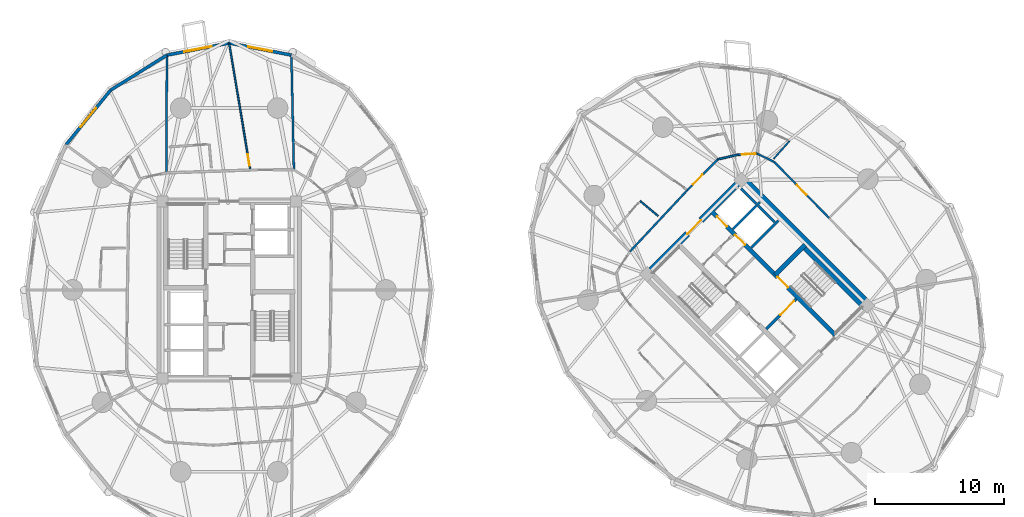
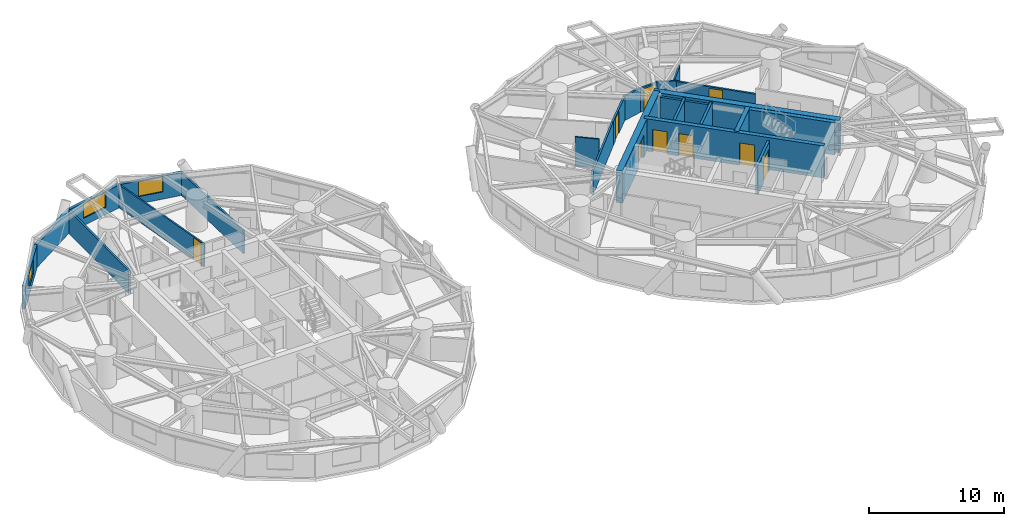
# One storey, part 14 of 18: 25 walls, 9 doors, 3 windows, 12 openings.
"""IFC4 building model written with IfcOpenShell, lengths in metres."""

from ifc_helpers import new_model, si_unit, direction, frame, frame_2d, origin, place, context, subcontext, project, spatial, rectangle, extrude, source, transform, mapped, material, layer, layer_set, type_object, element, fill, save


model = new_model("IFC4")

# Units and contexts
model_context = context("Model", 3, precision=1e-05, world=origin(), true_north=direction((0.0, 1.0)))
body_context = subcontext(model_context, "Body", "Model", "MODEL_VIEW")
ifc_project = project(units=[si_unit("LENGTHUNIT", "METRE"), si_unit("AREAUNIT", "SQUARE_METRE"), si_unit("VOLUMEUNIT", "CUBIC_METRE"), si_unit("PLANEANGLEUNIT", "RADIAN"), si_unit("MASSUNIT", "GRAM", prefix="KILO")], contexts=[model_context])

# Site, building, storey
site_placement = place(None, origin())
site = spatial("IfcSite", under=ifc_project, at=site_placement, CompositionType="ELEMENT")
building_placement = place(site_placement, origin())
building = spatial("IfcBuilding", under=site, at=building_placement, Name="Cununo Teusaquillo Station Towers", CompositionType="ELEMENT")
storey_placement = place(building_placement, frame((0.0, 0.0, 54.010009765625)))
storey = spatial("IfcBuildingStorey", under=building, at=storey_placement, Name="L16", CompositionType="ELEMENT", Elevation=54.010009765625)

# Walls
ifc_material_1 = material(Name="Concrete C50/60", Category="concrete")
ifc_layer_1 = layer(ifc_material_1, 0.199951171875)
ifc_layer_set_1 = layer_set([ifc_layer_1], Name="Concrete C50/60")
wall_type_1 = type_object("IfcWallType", Name="WL-CORE-200", PredefinedType="SHEAR", material=ifc_layer_set_1)
wall_1_placement = place(storey_placement, frame((57.0615234375, 27.781005859375, 0.0), z_axis=(0.0, 0.0, 1.0), x_axis=(0.707106781187, 0.707106781187, 0.0)))
element("IfcWall", 1, at=wall_1_placement, inside=storey, type_object=wall_type_1, Name="L16 Tower B Low-Rise Lift Hoistway South Shear Wall", PredefinedType="SHEAR", context=body_context, shape_type="SweptSolid", body=[
    extrude(rectangle(XDim=2.969970703125, YDim=0.199951171875, at=frame_2d((1.48486328125, 0.0))), origin(), (0.0, 0.0, 1.0), 2.909912109375),
])
wall_2_placement = place(storey_placement, frame((55.615478515625, 29.22705078125, 0.0), z_axis=(0.0, 0.0, 1.0), x_axis=(0.707147878904, 0.70706568108, 0.0)))
element("IfcWall", 2, at=wall_2_placement, inside=storey, type_object=wall_type_1, Name="L16 Tower B Low-Rise Lift Hoistway Divider Shear Wall", PredefinedType="SHEAR", context=body_context, shape_type="SweptSolid", body=[
    extrude(rectangle(XDim=2.97021484375, YDim=0.199951171875, at=frame_2d((1.485107421875, 0.0))), origin(), (0.0, 0.0, 1.0), 2.909912109375),
])
wall_3_placement = place(storey_placement, frame((58.86474609375, 29.75390625, 0.0), z_axis=(0.0, 0.0, 1.0), x_axis=(-0.707174411312, 0.707039144592, 0.0)))
element("IfcWall", 3, at=wall_3_placement, inside=storey, type_object=wall_type_1, Name="L16 Tower B Low-Rise Lift 1 Shaft Rear Shear Wall", PredefinedType="SHEAR", context=body_context, shape_type="SweptSolid", body=[
    extrude(rectangle(XDim=1.804931640625, YDim=0.199951171875, at=frame_2d((0.90234375, 0.0))), origin(), (0.0, 0.0, 1.0), 2.909912109375),
])
wall_4_placement = place(storey_placement, frame((57.418701171875, 31.19970703125, 0.0), z_axis=(0.0, 0.0, 1.0), x_axis=(-0.707032117043, 0.707181437447, 0.0)))
element("IfcWall", 4, at=wall_4_placement, inside=storey, type_object=wall_type_1, Name="L16 Tower B Low-Rise Lift 2 Shaft Rear Shear Wall", PredefinedType="SHEAR", context=body_context, shape_type="SweptSolid", body=[
    extrude(rectangle(XDim=1.635009765625, YDim=0.199951171875, at=frame_2d((0.8173828125, 0.0))), origin(), (0.0, 0.0, 1.0), 2.909912109375),
])

# Wall, openings, doors
ifc_material_2 = material(Name="Concrete C50/60", Category="concrete")
ifc_layer_2 = layer(ifc_material_2, 0.35009765625)
ifc_layer_set_2 = layer_set([ifc_layer_2], Name="Concrete C50/60")
wall_type_2 = type_object("IfcWallType", Name="WL-CORE-350", PredefinedType="SHEAR", material=ifc_layer_set_2)
wall_5_placement = place(storey_placement, frame((63.662353515625, 20.904296875, 0.0), z_axis=(0.0, 0.0, 1.0), x_axis=(-0.707106781187, 0.707106781187, 0.0)))
wall_5 = element("IfcWall", 5, at=wall_5_placement, inside=storey, type_object=wall_type_2, Name="L16 Tower B Core Shear Wall IE", PredefinedType="SHEAR", context=body_context, shape_type="SweptSolid", body=[
    extrude(rectangle(XDim=13.800048828125, YDim=0.35009765625, at=frame_2d((6.89990234375, 0.0))), origin(), (0.0, 0.0, 1.0), 2.909912109375),
])
shared_shape_1 = source(origin(), body_context, "Body", "SweptSolid", [
    extrude(rectangle(XDim=1.10009765625, YDim=2.014892578125, at=frame_2d((0.550048828125, 1.00732421875))), frame((0.0, 0.18505859375, 0.0), z_axis=(0.0, -1.0, 0.0), x_axis=(1.0, 0.0, 0.0)), (0.0, 0.0, 1.0), 0.3701171875),
])
opening_1_placement = place(wall_5_placement, frame((10.02490234375, 0.0, 0.0)))
opening_1 = element("IfcOpeningElement", 6, at=opening_1_placement, cuts=wall_5, Name="Opening LD-01", PredefinedType="OPENING", context=body_context, shape_type="MappedRepresentation", body=[
    mapped(shared_shape_1, transform((0.0, 0.0, 0.0), x_axis=(1.0, 0.0, 0.0), y_axis=(0.0, 1.0, 0.0), z_axis=(0.0, 0.0, 1.0), scale=1.0)),
])
opening_2_placement = place(wall_5_placement, frame((12.02490234375, 0.0, 0.0)))
opening_2 = element("IfcOpeningElement", 7, at=opening_2_placement, cuts=wall_5, Name="Opening LD-01", PredefinedType="OPENING", context=body_context, shape_type="MappedRepresentation", body=[
    mapped(shared_shape_1, transform((0.0, 0.0, 0.0), x_axis=(1.0, 0.0, 0.0), y_axis=(0.0, 1.0, 0.0), z_axis=(0.0, 0.0, 1.0), scale=1.0)),
])
shared_shape_2 = source(origin(), body_context, "Body", "SweptSolid", [
    extrude(rectangle(XDim=1.14990234375, YDim=2.02001953125, at=frame_2d((0.574951171875, 1.010009765625))), frame((0.0, 0.18505859375, 0.0), z_axis=(0.0, -1.0, 0.0), x_axis=(1.0, 0.0, 0.0)), (0.0, 0.0, 1.0), 0.3701171875),
])
opening_3_placement = place(wall_5_placement, frame((5.330078125, 0.0, 0.0)))
opening_3 = element("IfcOpeningElement", 8, at=opening_3_placement, cuts=wall_5, Name="Opening D-ST1", PredefinedType="OPENING", context=body_context, shape_type="MappedRepresentation", body=[
    mapped(shared_shape_2, transform((0.0, 0.0, 0.0), x_axis=(1.0, 0.0, 0.0), y_axis=(0.0, 1.0, 0.0), z_axis=(0.0, 0.0, 1.0), scale=1.0)),
])
ifc_material_3 = material(Name="Galvanised fire-rated hollow steel door assembly", Category="steel")
door_type_1 = type_object("IfcDoorType", Name="DR-LIFT-1100", OperationType="SLIDING_TO_LEFT", PredefinedType="DOOR", material=ifc_material_3)
shared_shape_3 = source(origin(), body_context, "Body", "SweptSolid", [
    extrude(rectangle(XDim=1.10009765625, YDim=2.014892578125, at=frame_2d((0.550048828125, 1.00732421875))), frame((0.0, 0.02490234375, 0.0), z_axis=(0.0, -1.0, 0.0), x_axis=(1.0, 0.0, 0.0)), (0.0, 0.0, 1.0), 0.050048828125),
])
door_1_placement = place(opening_1_placement, origin())
door_1 = element("IfcDoor", 9, at=door_1_placement, inside=storey, type_object=door_type_1, Name="L16 Lift PL-T2-L1 Sliding Landing Door", OperationType="SLIDING_TO_LEFT", OverallHeight=2.014892578125, OverallWidth=1.10009765625, PredefinedType="DOOR", context=body_context, shape_type="MappedRepresentation", body=[
    mapped(shared_shape_3, transform((0.0, 0.0, 0.0), x_axis=(1.0, 0.0, 0.0), y_axis=(0.0, 1.0, 0.0), z_axis=(0.0, 0.0, 1.0), scale=1.0)),
])
fill(opening_1, door_1)
door_2_placement = place(opening_2_placement, origin())
door_2 = element("IfcDoor", 10, at=door_2_placement, inside=storey, type_object=door_type_1, Name="L16 Lift PL-T2-L2 Sliding Landing Door", OperationType="SLIDING_TO_RIGHT", OverallHeight=2.014892578125, OverallWidth=1.10009765625, PredefinedType="DOOR", context=body_context, shape_type="MappedRepresentation", body=[
    mapped(shared_shape_3, transform((0.0, 0.0, 0.0), x_axis=(1.0, 0.0, 0.0), y_axis=(0.0, 1.0, 0.0), z_axis=(0.0, 0.0, 1.0), scale=1.0)),
])
fill(opening_2, door_2)
ifc_material_4 = material(Name="Galvanised fire-rated hollow steel door assembly", Category="steel")
door_type_2 = type_object("IfcDoorType", Name="DR-STAIR-1150", OperationType="NOTDEFINED", PredefinedType="DOOR", material=ifc_material_4)
shared_shape_4 = source(origin(), body_context, "Body", "SweptSolid", [
    extrude(rectangle(XDim=1.14990234375, YDim=2.02001953125, at=frame_2d((0.574951171875, 1.010009765625))), frame((0.0, 0.02490234375, 0.0), z_axis=(0.0, -1.0, 0.0), x_axis=(1.0, 0.0, 0.0)), (0.0, 0.0, 1.0), 0.050048828125),
])
door_3_placement = place(opening_3_placement, origin())
door_3 = element("IfcDoor", 11, at=door_3_placement, inside=storey, type_object=door_type_2, Name="L16 Tower B Exit Stair 2 Fire Door", OperationType="SINGLE_SWING_RIGHT", OverallHeight=2.02001953125, OverallWidth=1.14990234375, PredefinedType="DOOR", context=body_context, shape_type="MappedRepresentation", body=[
    mapped(shared_shape_4, transform((0.0, 0.0, 0.0), x_axis=(1.0, 0.0, 0.0), y_axis=(0.0, 1.0, 0.0), z_axis=(0.0, 0.0, 1.0), scale=1.0)),
])
fill(opening_3, door_3)

# Walls
wall_6_placement = place(storey_placement, frame((65.847412109375, 23.08935546875, 0.0), z_axis=(0.0, 0.0, 1.0), x_axis=(-0.707106781187, 0.707106781187, 0.0)))
element("IfcWall", 12, at=wall_6_placement, inside=storey, type_object=wall_type_2, Name="L16 Tower B Core Shear Wall ST2E", PredefinedType="SHEAR", context=body_context, shape_type="SweptSolid", body=[
    extrude(rectangle(XDim=6.7451171875, YDim=0.35009765625, at=frame_2d((3.37255859375, 0.0))), origin(), (0.0, 0.0, 1.0), 2.909912109375),
])
wall_7_placement = place(storey_placement, frame((58.89306640625, 25.673828125, 0.0), z_axis=(0.0, 0.0, 1.0), x_axis=(0.707106781187, 0.707106781187, 0.0)))
element("IfcWall", 13, at=wall_7_placement, inside=storey, type_object=wall_type_2, Name="L16 Tower B Core Shear Wall ST2N", PredefinedType="SHEAR", context=body_context, shape_type="SweptSolid", body=[
    extrude(rectangle(XDim=3.284912109375, YDim=0.35009765625, at=frame_2d((1.642578125, 0.0))), origin(), (0.0, 0.0, 1.0), 2.909912109375),
])
ifc_material_5 = material(Name="Concrete C60/75", Category="concrete")
ifc_layer_3 = layer(ifc_material_5, 0.5)
ifc_layer_set_3 = layer_set([ifc_layer_3], Name="Concrete C60/75")
wall_type_3 = type_object("IfcWallType", Name="WL-CORE-500", PredefinedType="SHEAR", material=ifc_layer_set_3)
wall_8_placement = place(storey_placement, frame((66.3388671875, 23.227294921875, 0.0), z_axis=(0.0, 0.0, 1.0), x_axis=(-0.707106781187, 0.707106781187, 0.0)))
element("IfcWall", 14, at=wall_8_placement, inside=storey, type_object=wall_type_3, Name="L16 Tower B Core Shear Wall E", PredefinedType="SHEAR", context=body_context, shape_type="SweptSolid", body=[
    extrude(rectangle(XDim=14.2998046875, YDim=0.5, at=frame_2d((7.14990234375, 0.0))), origin(), (0.0, 0.0, 1.0), 2.909912109375),
])

# Wall, opening, door
wall_9_placement = place(storey_placement, frame((48.837890625, 25.595947265625, 0.0), z_axis=(0.0, 0.0, 1.0), x_axis=(0.707106781187, 0.707106781187, 0.0)))
wall_9 = element("IfcWall", 15, at=wall_9_placement, inside=storey, type_object=wall_type_3, Name="L16 Tower B Core Shear Wall N", PredefinedType="SHEAR", context=body_context, shape_type="SweptSolid", body=[
    extrude(rectangle(XDim=10.7001953125, YDim=0.5, at=frame_2d((5.35009765625, 0.0))), origin(), (0.0, 0.0, 1.0), 2.909912109375),
])
shared_shape_5 = source(origin(), body_context, "Body", "SweptSolid", [
    extrude(rectangle(XDim=1.5, YDim=2.02001953125, at=frame_2d((0.75, 1.010009765625))), frame((0.0, 0.260009765625, 0.0), z_axis=(0.0, -1.0, 0.0), x_axis=(1.0, 0.0, 0.0)), (0.0, 0.0, 1.0), 0.52001953125),
])
opening_4_placement = place(wall_9_placement, frame((4.60009765625, 0.0, 0.0)))
opening_4 = element("IfcOpeningElement", 16, at=opening_4_placement, cuts=wall_9, Name="Opening D-LB1", PredefinedType="OPENING", context=body_context, shape_type="MappedRepresentation", body=[
    mapped(shared_shape_5, transform((0.0, 0.0, 0.0), x_axis=(1.0, 0.0, 0.0), y_axis=(0.0, 1.0, 0.0), z_axis=(0.0, 0.0, 1.0), scale=1.0)),
])
ifc_material_6 = material(Name="Galvanised fire-rated hollow steel door assembly", Category="steel")
door_type_3 = type_object("IfcDoorType", Name="DR-LOBBY-1500", OperationType="DOUBLE_DOOR_SINGLE_SWING", PredefinedType="DOOR", material=ifc_material_6)
shared_shape_6 = source(origin(), body_context, "Body", "SweptSolid", [
    extrude(rectangle(XDim=1.5, YDim=2.02001953125, at=frame_2d((0.75, 1.010009765625))), frame((0.0, 0.02490234375, 0.0), z_axis=(0.0, -1.0, 0.0), x_axis=(1.0, 0.0, 0.0)), (0.0, 0.0, 1.0), 0.050048828125),
])
door_4_placement = place(opening_4_placement, origin())
door_4 = element("IfcDoor", 17, at=door_4_placement, inside=storey, type_object=door_type_3, Name="L16 Tower B North Core Lift Lobby Door", OperationType="DOUBLE_DOOR_SINGLE_SWING", OverallHeight=2.02001953125, OverallWidth=1.5, PredefinedType="DOOR", context=body_context, shape_type="MappedRepresentation", body=[
    mapped(shared_shape_6, transform((0.0, 0.0, 0.0), x_axis=(1.0, 0.0, 0.0), y_axis=(0.0, 1.0, 0.0), z_axis=(0.0, 0.0, 1.0), scale=1.0)),
])
fill(opening_4, door_4)

# Wall, opening, window
ifc_material_7 = material(Name="Precast concrete C40/50", Category="concrete")
ifc_layer_4 = layer(ifc_material_7, 0.239990234375)
ifc_layer_set_4 = layer_set([ifc_layer_4], Name="Precast concrete C40/50")
wall_type_4 = type_object("IfcWallType", Name="WL-EXT-240", PredefinedType="SOLIDWALL", material=ifc_layer_set_4)
wall_10_placement = place(storey_placement, frame((16.5, 43.669921875, 0.0), z_axis=(0.0, 0.0, 1.0), x_axis=(0.981725274071, -0.190303668512, 0.0)))
wall_10 = element("IfcWall", 18, at=wall_10_placement, inside=storey, type_object=wall_type_4, Name="L16 Tower A Exterior Facade Wall C04", PredefinedType="SOLIDWALL", context=body_context, shape_type="SweptSolid", body=[
    extrude(rectangle(XDim=4.93017578125, YDim=0.239990234375, at=frame_2d((2.465087890625, 0.0))), origin(), (0.0, 0.0, 1.0), 2.072998046875),
])
shared_shape_7 = source(origin(), body_context, "Body", "SweptSolid", [
    extrude(rectangle(XDim=1.89990234375, YDim=1.35009765625, at=frame_2d((0.949951171875, 0.675048828125))), frame((0.0, 0.1298828125, 0.0), z_axis=(0.0, -1.0, 0.0), x_axis=(1.0, 0.0, 0.0)), (0.0, 0.0, 1.0), 0.260009765625),
])
opening_5_placement = place(wall_10_placement, frame((1.514892578125, 0.0, 0.64990234375)))
opening_5 = element("IfcOpeningElement", 19, at=opening_5_placement, cuts=wall_10, Name="Opening WN-02", PredefinedType="OPENING", context=body_context, shape_type="MappedRepresentation", body=[
    mapped(shared_shape_7, transform((0.0, 0.0, 0.0), x_axis=(1.0, 0.0, 0.0), y_axis=(0.0, 1.0, 0.0), z_axis=(0.0, 0.0, 1.0), scale=1.0)),
])
ifc_material_8 = material(Name="Operable acoustic tinted low-E double glazing", Category="glass")
window_type_1 = type_object("IfcWindowType", Name="WIN-OPER-1900", PartitioningType="DOUBLE_PANEL_VERTICAL", PredefinedType="WINDOW", material=ifc_material_8)
shared_shape_8 = source(origin(), body_context, "Body", "SweptSolid", [
    extrude(rectangle(XDim=1.89990234375, YDim=1.35009765625, at=frame_2d((0.949951171875, 0.675048828125))), frame((0.0, 0.030029296875, 0.0), z_axis=(0.0, -1.0, 0.0), x_axis=(1.0, 0.0, 0.0)), (0.0, 0.0, 1.0), 0.06005859375),
])
window_1_placement = place(opening_5_placement, origin())
window_1 = element("IfcWindow", 20, at=window_1_placement, inside=storey, type_object=window_type_1, Name="L16 Tower A Facade Window C04", OverallHeight=1.35009765625, OverallWidth=1.89990234375, PartitioningType="DOUBLE_PANEL_VERTICAL", PredefinedType="WINDOW", context=body_context, shape_type="MappedRepresentation", body=[
    mapped(shared_shape_8, transform((0.0, 0.0, 0.0), x_axis=(1.0, 0.0, 0.0), y_axis=(0.0, 1.0, 0.0), z_axis=(0.0, 0.0, 1.0), scale=1.0)),
])
fill(opening_5, window_1)

wall_11_placement = place(storey_placement, frame((11.659912109375, 42.731689453125, 0.0), z_axis=(0.0, 0.0, 1.0), x_axis=(0.981725274071, 0.190303668512, 0.0)))
wall_11 = element("IfcWall", 21, at=wall_11_placement, inside=storey, type_object=wall_type_4, Name="L16 Tower A Exterior Facade Wall C05", PredefinedType="SOLIDWALL", context=body_context, shape_type="SweptSolid", body=[
    extrude(rectangle(XDim=4.93017578125, YDim=0.239990234375, at=frame_2d((2.465087890625, 0.0))), origin(), (0.0, 0.0, 1.0), 2.072998046875),
])
shared_shape_9 = source(origin(), body_context, "Body", "SweptSolid", [
    extrude(rectangle(XDim=2.199951171875, YDim=1.35009765625, at=frame_2d((1.10009765625, 0.675048828125))), frame((0.0, 0.1298828125, 0.0), z_axis=(0.0, -1.0, 0.0), x_axis=(1.0, 0.0, 0.0)), (0.0, 0.0, 1.0), 0.260009765625),
])
opening_6_placement = place(wall_11_placement, frame((1.364990234375, 0.0, 0.64990234375)))
opening_6 = element("IfcOpeningElement", 22, at=opening_6_placement, cuts=wall_11, Name="Opening WN-01", PredefinedType="OPENING", context=body_context, shape_type="MappedRepresentation", body=[
    mapped(shared_shape_9, transform((0.0, 0.0, 0.0), x_axis=(1.0, 0.0, 0.0), y_axis=(0.0, 1.0, 0.0), z_axis=(0.0, 0.0, 1.0), scale=1.0)),
])
ifc_material_9 = material(Name="Ceramic-fritted dark low-E double glazing", Category="glass")
window_type_2 = type_object("IfcWindowType", Name="WIN-FRIT-2200", PartitioningType="DOUBLE_PANEL_VERTICAL", PredefinedType="WINDOW", material=ifc_material_9)
shared_shape_10 = source(origin(), body_context, "Body", "SweptSolid", [
    extrude(rectangle(XDim=2.199951171875, YDim=1.35009765625, at=frame_2d((1.10009765625, 0.675048828125))), frame((0.0, 0.030029296875, 0.0), z_axis=(0.0, -1.0, 0.0), x_axis=(1.0, 0.0, 0.0)), (0.0, 0.0, 1.0), 0.06005859375),
])
window_2_placement = place(opening_6_placement, origin())
window_2 = element("IfcWindow", 23, at=window_2_placement, inside=storey, type_object=window_type_2, Name="L16 Tower A Facade Window C05", OverallHeight=1.35009765625, OverallWidth=2.199951171875, PartitioningType="DOUBLE_PANEL_VERTICAL", PredefinedType="WINDOW", context=body_context, shape_type="MappedRepresentation", body=[
    mapped(shared_shape_10, transform((0.0, 0.0, 0.0), x_axis=(1.0, 0.0, 0.0), y_axis=(0.0, 1.0, 0.0), z_axis=(0.0, 0.0, 1.0), scale=1.0)),
])
fill(opening_6, window_2)

# Wall
wall_12_placement = place(storey_placement, frame((7.29345703125, 40.0087890625, 0.0), z_axis=(0.0, 0.0, 1.0), x_axis=(0.848533613342, 0.529141481107, 0.0)))
element("IfcWall", 24, at=wall_12_placement, inside=storey, type_object=wall_type_4, Name="L16 Tower A Exterior Facade Wall C06", PredefinedType="SOLIDWALL", context=body_context, shape_type="SweptSolid", body=[
    extrude(rectangle(XDim=5.14599609375, YDim=0.239990234375, at=frame_2d((2.572998046875, 0.0))), origin(), (0.0, 0.0, 1.0), 2.072998046875),
])

# Wall, opening, window
wall_13_placement = place(storey_placement, frame((3.828369140625, 35.767822265625, 0.0), z_axis=(0.0, 0.0, 1.0), x_axis=(0.632713287022, 0.77438614168, 0.0)))
wall_13 = element("IfcWall", 25, at=wall_13_placement, inside=storey, type_object=wall_type_4, Name="L16 Tower A Exterior Facade Wall C07", PredefinedType="SOLIDWALL", context=body_context, shape_type="SweptSolid", body=[
    extrude(rectangle(XDim=5.4765625, YDim=0.239990234375, at=frame_2d((2.73828125, 0.0))), origin(), (0.0, 0.0, 1.0), 2.072998046875),
])
opening_7_placement = place(wall_13_placement, frame((1.7880859375, 0.0, 0.64990234375)))
opening_7 = element("IfcOpeningElement", 26, at=opening_7_placement, cuts=wall_13, Name="Opening WN-02", PredefinedType="OPENING", context=body_context, shape_type="MappedRepresentation", body=[
    mapped(shared_shape_7, transform((0.0, 0.0, 0.0), x_axis=(1.0, 0.0, 0.0), y_axis=(0.0, 1.0, 0.0), z_axis=(0.0, 0.0, 1.0), scale=1.0)),
])
window_3_placement = place(opening_7_placement, origin())
window_3 = element("IfcWindow", 27, at=window_3_placement, inside=storey, type_object=window_type_1, Name="L16 Tower A Facade Window C07", OverallHeight=1.35009765625, OverallWidth=1.89990234375, PartitioningType="DOUBLE_PANEL_VERTICAL", PredefinedType="WINDOW", context=body_context, shape_type="MappedRepresentation", body=[
    mapped(shared_shape_8, transform((0.0, 0.0, 0.0), x_axis=(1.0, 0.0, 0.0), y_axis=(0.0, 1.0, 0.0), z_axis=(0.0, 0.0, 1.0), scale=1.0)),
])
fill(opening_7, window_3)

# Wall, opening, door
ifc_material_10 = material(Name="Fire-rated gypsum plasterboard partition assembly", Category="gypsum")
ifc_layer_5 = layer(ifc_material_10, 0.125)
ifc_layer_set_5 = layer_set([ifc_layer_5], Name="Fire-rated gypsum plasterboard partition assembly")
wall_type_5 = type_object("IfcWallType", Name="WL-PART-125", PredefinedType="PARTITIONING", material=ifc_layer_set_5)
wall_14_placement = place(storey_placement, frame((18.142822265625, 33.8095703125, 0.0), z_axis=(0.0, 0.0, 1.0), x_axis=(-0.164668829219, 0.986348912243, 0.0)))
wall_14 = element("IfcWall", 28, at=wall_14_placement, inside=storey, type_object=wall_type_5, Name="L16 Tower A Presidential Hospitality Suite Suite Subdividing Wall", PredefinedType="PARTITIONING", context=body_context, shape_type="SweptSolid", body=[
    extrude(rectangle(XDim=9.9765625, YDim=0.125, at=frame_2d((4.98828125, 0.0))), origin(), (0.0, 0.0, 1.0), 2.072998046875),
])
shared_shape_11 = source(origin(), body_context, "Body", "SweptSolid", [
    extrude(rectangle(XDim=0.89990234375, YDim=2.0048828125, at=frame_2d((0.449951171875, 1.00244140625))), frame((0.0, 0.072509765625, 0.0), z_axis=(0.0, -1.0, 0.0), x_axis=(1.0, 0.0, 0.0)), (0.0, 0.0, 1.0), 0.14501953125),
])
opening_8_placement = place(wall_14_placement, frame((0.330078125, 0.0, 0.0)))
opening_8 = element("IfcOpeningElement", 29, at=opening_8_placement, cuts=wall_14, Name="Opening D-IN1", PredefinedType="OPENING", context=body_context, shape_type="MappedRepresentation", body=[
    mapped(shared_shape_11, transform((0.0, 0.0, 0.0), x_axis=(1.0, 0.0, 0.0), y_axis=(0.0, 1.0, 0.0), z_axis=(0.0, 0.0, 1.0), scale=1.0)),
])
ifc_material_11 = material(Name="Acoustic solid-core hardwood leaf assembly", Category="wood")
door_type_4 = type_object("IfcDoorType", Name="DR-INT-900", OperationType="NOTDEFINED", PredefinedType="DOOR", material=ifc_material_11)
shared_shape_12 = source(origin(), body_context, "Body", "SweptSolid", [
    extrude(rectangle(XDim=0.89990234375, YDim=2.0048828125, at=frame_2d((0.449951171875, 1.00244140625))), frame((0.0, 0.02490234375, 0.0), z_axis=(0.0, -1.0, 0.0), x_axis=(1.0, 0.0, 0.0)), (0.0, 0.0, 1.0), 0.050048828125),
])
door_5_placement = place(opening_8_placement, origin())
door_5 = element("IfcDoor", 30, at=door_5_placement, inside=storey, type_object=door_type_4, Name="L16 Tower A Presidential Hospitality Suite Suite Connecting Door", OperationType="SINGLE_SWING_LEFT", OverallHeight=2.0048828125, OverallWidth=0.89990234375, PredefinedType="DOOR", context=body_context, shape_type="MappedRepresentation", body=[
    mapped(shared_shape_12, transform((0.0, 0.0, 0.0), x_axis=(1.0, 0.0, 0.0), y_axis=(0.0, 1.0, 0.0), z_axis=(0.0, 0.0, 1.0), scale=1.0)),
])
fill(opening_8, door_5)

# Walls
wall_15_placement = place(storey_placement, frame((49.80908203125, 30.234130859375, 0.0), z_axis=(0.0, 0.0, 1.0), x_axis=(-0.76830950514, 0.640078514177, 0.0)))
element("IfcWall", 31, at=wall_15_placement, inside=storey, type_object=wall_type_5, Name="L16 Tower B S02 En-suite Side Wall", PredefinedType="PARTITIONING", context=body_context, shape_type="SweptSolid", body=[
    extrude(rectangle(XDim=1.814453125, YDim=0.125, at=frame_2d((0.9072265625, 0.0))), origin(), (0.0, 0.0, 1.0), 2.635009765625),
])
wall_16_placement = place(storey_placement, frame((58.7802734375, 34.67578125, 0.0), z_axis=(0.0, 0.0, 1.0), x_axis=(0.6649433297, 0.746893813261, 0.0)))
element("IfcWall", 32, at=wall_16_placement, inside=storey, type_object=wall_type_5, Name="L16 Tower B S09 En-suite Side Wall", PredefinedType="PARTITIONING", context=body_context, shape_type="SweptSolid", body=[
    extrude(rectangle(XDim=1.85595703125, YDim=0.125, at=frame_2d((0.927978515625, 0.0))), origin(), (0.0, 0.0, 1.0), 2.205078125),
])

# Wall, opening, door
ifc_material_12 = material(Name="Fire-rated gypsum plasterboard partition assembly", Category="gypsum")
ifc_layer_6 = layer(ifc_material_12, 0.14990234375)
ifc_layer_set_6 = layer_set([ifc_layer_6], Name="Fire-rated gypsum plasterboard partition assembly")
wall_type_6 = type_object("IfcWallType", Name="WL-PART-150", PredefinedType="PARTITIONING", material=ifc_layer_set_6)
wall_17_placement = place(storey_placement, frame((63.086181640625, 30.086181640625, 0.0), z_axis=(0.0, 0.0, 1.0), x_axis=(-0.699032802832, 0.715089603172, 0.0)))
wall_17 = element("IfcWall", 33, at=wall_17_placement, inside=storey, type_object=wall_type_6, Name="L16 Tower B Corridor Ring Wall C00", PredefinedType="PARTITIONING", context=body_context, shape_type="SweptSolid", body=[
    extrude(rectangle(XDim=6.08203125, YDim=0.14990234375, at=frame_2d((3.041015625, 0.0))), origin(), (0.0, 0.0, 1.0), 2.158935546875),
])
shared_shape_13 = source(origin(), body_context, "Body", "SweptSolid", [
    extrude(rectangle(XDim=1.050048828125, YDim=2.014892578125, at=frame_2d((0.52490234375, 1.00732421875))), frame((0.0, 0.0849609375, 0.0), z_axis=(0.0, -1.0, 0.0), x_axis=(1.0, 0.0, 0.0)), (0.0, 0.0, 1.0), 0.169921875),
])
opening_9_placement = place(wall_17_placement, frame((2.51611328125, 0.0, 0.0)))
opening_9 = element("IfcOpeningElement", 34, at=opening_9_placement, cuts=wall_17, Name="Opening D-SU1", PredefinedType="OPENING", context=body_context, shape_type="MappedRepresentation", body=[
    mapped(shared_shape_13, transform((0.0, 0.0, 0.0), x_axis=(1.0, 0.0, 0.0), y_axis=(0.0, 1.0, 0.0), z_axis=(0.0, 0.0, 1.0), scale=1.0)),
])
ifc_material_13 = material(Name="Acoustic solid-core hardwood leaf assembly", Category="wood")
door_type_5 = type_object("IfcDoorType", Name="DR-SUITE-1050", OperationType="NOTDEFINED", PredefinedType="DOOR", material=ifc_material_13)
shared_shape_14 = source(origin(), body_context, "Body", "SweptSolid", [
    extrude(rectangle(XDim=1.050048828125, YDim=2.014892578125, at=frame_2d((0.52490234375, 1.00732421875))), frame((0.0, 0.02490234375, 0.0), z_axis=(0.0, -1.0, 0.0), x_axis=(1.0, 0.0, 0.0)), (0.0, 0.0, 1.0), 0.050048828125),
])
door_6_placement = place(opening_9_placement, origin())
door_6 = element("IfcDoor", 35, at=door_6_placement, inside=storey, type_object=door_type_5, Name="L16 Tower B Premier Diplomatic Hotel Suite Entrance Door", OperationType="SINGLE_SWING_RIGHT", OverallHeight=2.014892578125, OverallWidth=1.050048828125, PredefinedType="DOOR", context=body_context, shape_type="MappedRepresentation", body=[
    mapped(shared_shape_14, transform((0.0, 0.0, 0.0), x_axis=(1.0, 0.0, 0.0), y_axis=(0.0, 1.0, 0.0), z_axis=(0.0, 0.0, 1.0), scale=1.0)),
])
fill(opening_9, door_6)

# Wall
wall_18_placement = place(storey_placement, frame((58.834716796875, 34.435302734375, 0.0), z_axis=(0.0, 0.0, 1.0), x_axis=(-0.900352167336, 0.4351620098, 0.0)))
element("IfcWall", 36, at=wall_18_placement, inside=storey, type_object=wall_type_6, Name="L16 Tower B Corridor Ring Wall C01", PredefinedType="PARTITIONING", context=body_context, shape_type="SweptSolid", body=[
    extrude(rectangle(XDim=1.48779296875, YDim=0.14990234375, at=frame_2d((0.743896484375, 0.0))), origin(), (0.0, 0.0, 1.0), 2.205078125),
])

# Wall, opening, door
wall_19_placement = place(storey_placement, frame((57.4951171875, 35.082763671875, 0.0), z_axis=(0.0, 0.0, 1.0), x_axis=(-0.998536503254, -0.054081897798, 0.0)))
wall_19 = element("IfcWall", 37, at=wall_19_placement, inside=storey, type_object=wall_type_6, Name="L16 Tower B Corridor Ring Wall C02", PredefinedType="PARTITIONING", context=body_context, shape_type="SweptSolid", body=[
    extrude(rectangle(XDim=1.480712890625, YDim=0.14990234375, at=frame_2d((0.740234375, 0.0))), origin(), (0.0, 0.0, 1.0), 2.158935546875),
])
opening_10_placement = place(wall_19_placement, frame((0.1201171875, 0.0, 0.0)))
opening_10 = element("IfcOpeningElement", 38, at=opening_10_placement, cuts=wall_19, Name="Opening D-SU1", PredefinedType="OPENING", context=body_context, shape_type="MappedRepresentation", body=[
    mapped(shared_shape_13, transform((0.0, 0.0, 0.0), x_axis=(1.0, 0.0, 0.0), y_axis=(0.0, 1.0, 0.0), z_axis=(0.0, 0.0, 1.0), scale=1.0)),
])
door_7_placement = place(opening_10_placement, origin())
door_7 = element("IfcDoor", 39, at=door_7_placement, inside=storey, type_object=door_type_5, Name="L16 Tower B Executive Club Hotel Suite Entrance Door", OperationType="SINGLE_SWING_RIGHT", OverallHeight=2.014892578125, OverallWidth=1.050048828125, PredefinedType="DOOR", context=body_context, shape_type="MappedRepresentation", body=[
    mapped(shared_shape_14, transform((0.0, 0.0, 0.0), x_axis=(1.0, 0.0, 0.0), y_axis=(0.0, 1.0, 0.0), z_axis=(0.0, 0.0, 1.0), scale=1.0)),
])
fill(opening_10, door_7)

# Wall
wall_20_placement = place(storey_placement, frame((56.0166015625, 35.002685546875, 0.0), z_axis=(0.0, 0.0, 1.0), x_axis=(-0.974924954781, -0.222533890777, 0.0)))
element("IfcWall", 40, at=wall_20_placement, inside=storey, type_object=wall_type_6, Name="L16 Tower B Corridor Ring Wall C03", PredefinedType="PARTITIONING", context=body_context, shape_type="SweptSolid", body=[
    extrude(rectangle(XDim=1.59521484375, YDim=0.14990234375, at=frame_2d((0.797607421875, 0.0))), origin(), (0.0, 0.0, 1.0), 2.205078125),
])

# Wall, opening, door
wall_21_placement = place(storey_placement, frame((54.46142578125, 34.647705078125, 0.0), z_axis=(0.0, 0.0, 1.0), x_axis=(-0.70403409755, -0.710166170334, 0.0)))
wall_21 = element("IfcWall", 41, at=wall_21_placement, inside=storey, type_object=wall_type_6, Name="L16 Tower B Corridor Ring Wall C04", PredefinedType="PARTITIONING", context=body_context, shape_type="SweptSolid", body=[
    extrude(rectangle(XDim=3.38427734375, YDim=0.14990234375, at=frame_2d((1.692138671875, 0.0))), origin(), (0.0, 0.0, 1.0), 2.158935546875),
])
opening_11_placement = place(wall_21_placement, frame((1.690673828125, 0.0, 0.0)))
opening_11 = element("IfcOpeningElement", 42, at=opening_11_placement, cuts=wall_21, Name="Opening D-SU1", PredefinedType="OPENING", context=body_context, shape_type="MappedRepresentation", body=[
    mapped(shared_shape_13, transform((0.0, 0.0, 0.0), x_axis=(1.0, 0.0, 0.0), y_axis=(0.0, 1.0, 0.0), z_axis=(0.0, 0.0, 1.0), scale=1.0)),
])
door_8_placement = place(opening_11_placement, origin())
door_8 = element("IfcDoor", 43, at=door_8_placement, inside=storey, type_object=door_type_5, Name="L16 Tower B Presidential Hospitality Suite Entrance Door", OperationType="SINGLE_SWING_RIGHT", OverallHeight=2.014892578125, OverallWidth=1.050048828125, PredefinedType="DOOR", context=body_context, shape_type="MappedRepresentation", body=[
    mapped(shared_shape_14, transform((0.0, 0.0, 0.0), x_axis=(1.0, 0.0, 0.0), y_axis=(0.0, 1.0, 0.0), z_axis=(0.0, 0.0, 1.0), scale=1.0)),
])
fill(opening_11, door_8)

# Walls
wall_22_placement = place(storey_placement, frame((52.078857421875, 32.244384765625, 0.0), z_axis=(0.0, 0.0, 1.0), x_axis=(-0.682703325574, -0.730695674854, 0.0)))
element("IfcWall", 44, at=wall_22_placement, inside=storey, type_object=wall_type_6, Name="L16 Tower B Corridor Ring Wall C05", PredefinedType="PARTITIONING", context=body_context, shape_type="SweptSolid", body=[
    extrude(rectangle(XDim=6.526611328125, YDim=0.14990234375, at=frame_2d((3.26318359375, 0.0))), origin(), (0.0, 0.0, 1.0), 2.158935546875),
])
ifc_material_14 = material(Name="Fire-rated gypsum plasterboard partition assembly", Category="gypsum")
ifc_layer_7 = layer(ifc_material_14, 0.159912109375)
ifc_layer_set_7 = layer_set([ifc_layer_7], Name="Fire-rated gypsum plasterboard partition assembly")
wall_type_7 = type_object("IfcWallType", Name="WL-PART-160", PredefinedType="PARTITIONING", material=ifc_layer_set_7)
wall_23_placement = place(storey_placement, frame((21.52685546875, 33.82421875, 0.0), z_axis=(0.0, 0.0, 1.0), x_axis=(-0.021694017061, 0.999764657119, 0.0)))
element("IfcWall", 45, at=wall_23_placement, inside=storey, type_object=wall_type_7, Name="L16 Tower A Radial Suite Partition R03", PredefinedType="PARTITIONING", context=body_context, shape_type="SweptSolid", body=[
    extrude(rectangle(XDim=8.890625, YDim=0.159912109375, at=frame_2d((4.4453125, 0.0))), origin(), (0.0, 0.0, 1.0), 2.072998046875),
])
wall_24_placement = place(storey_placement, frame((11.619873046875, 33.587890625, 0.0), z_axis=(0.0, 0.0, 1.0), x_axis=(0.005056791532, 0.999987214348, 0.0)))
element("IfcWall", 46, at=wall_24_placement, inside=storey, type_object=wall_type_7, Name="L16 Tower A Radial Suite Partition R04", PredefinedType="PARTITIONING", context=body_context, shape_type="SweptSolid", body=[
    extrude(rectangle(XDim=9.124755859375, YDim=0.159912109375, at=frame_2d((4.5625, 0.0))), origin(), (0.0, 0.0, 1.0), 2.072998046875),
])

# Wall, opening, door
ifc_material_15 = material(Name="Fire-rated gypsum plasterboard partition assembly", Category="gypsum")
ifc_layer_8 = layer(ifc_material_15, 0.199951171875)
ifc_layer_set_8 = layer_set([ifc_layer_8], Name="Fire-rated gypsum plasterboard partition assembly")
wall_type_8 = type_object("IfcWallType", Name="WL-PART-200", PredefinedType="PARTITIONING", material=ifc_layer_set_8)
wall_25_placement = place(storey_placement, frame((58.214111328125, 21.466552734375, 0.0), z_axis=(0.0, 0.0, 1.0), x_axis=(0.707106781187, 0.707106781187, 0.0)))
wall_25 = element("IfcWall", 47, at=wall_25_placement, inside=storey, type_object=wall_type_8, Name="L16 Tower B Firefighting Lift Lobby South Fire Wall", PredefinedType="PARTITIONING", context=body_context, shape_type="SweptSolid", body=[
    extrude(rectangle(XDim=3.280029296875, YDim=0.199951171875, at=frame_2d((1.64013671875, 0.0))), origin(), (0.0, 0.0, 1.0), 2.635009765625),
])
shared_shape_15 = source(origin(), body_context, "Body", "SweptSolid", [
    extrude(rectangle(XDim=1.5, YDim=2.02001953125, at=frame_2d((0.75, 1.010009765625))), frame((0.0, 0.10986328125, 0.0), z_axis=(0.0, -1.0, 0.0), x_axis=(1.0, 0.0, 0.0)), (0.0, 0.0, 1.0), 0.219970703125),
])
opening_12_placement = place(wall_25_placement, frame((1.550048828125, 0.0, 0.0)))
opening_12 = element("IfcOpeningElement", 48, at=opening_12_placement, cuts=wall_25, Name="Opening D-LB1", PredefinedType="OPENING", context=body_context, shape_type="MappedRepresentation", body=[
    mapped(shared_shape_15, transform((0.0, 0.0, 0.0), x_axis=(1.0, 0.0, 0.0), y_axis=(0.0, 1.0, 0.0), z_axis=(0.0, 0.0, 1.0), scale=1.0)),
])
door_9_placement = place(opening_12_placement, origin())
door_9 = element("IfcDoor", 49, at=door_9_placement, inside=storey, type_object=door_type_3, Name="L16 Tower B Firefighting Lift Lobby South Fire Door", OperationType="DOUBLE_DOOR_SINGLE_SWING", OverallHeight=2.02001953125, OverallWidth=1.5, PredefinedType="DOOR", context=body_context, shape_type="MappedRepresentation", body=[
    mapped(shared_shape_6, transform((0.0, 0.0, 0.0), x_axis=(1.0, 0.0, 0.0), y_axis=(0.0, 1.0, 0.0), z_axis=(0.0, 0.0, 1.0), scale=1.0)),
])
fill(opening_12, door_9)

save(model, "model.ifc")
